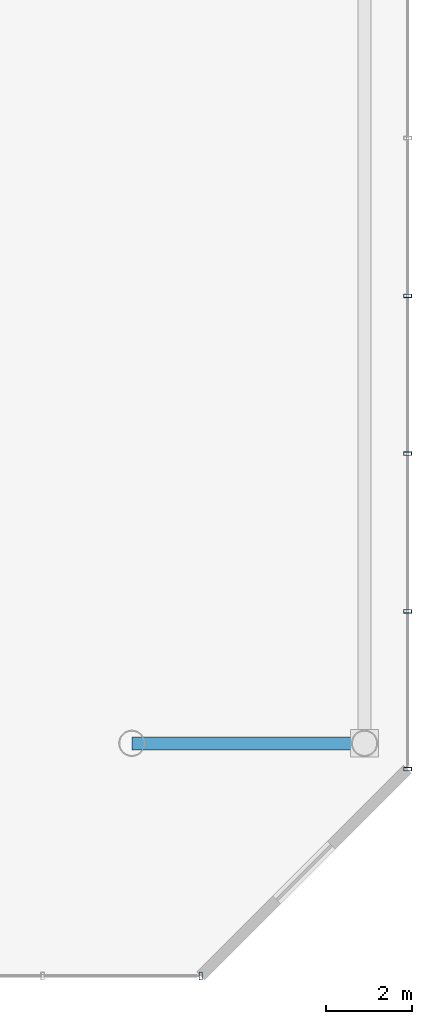
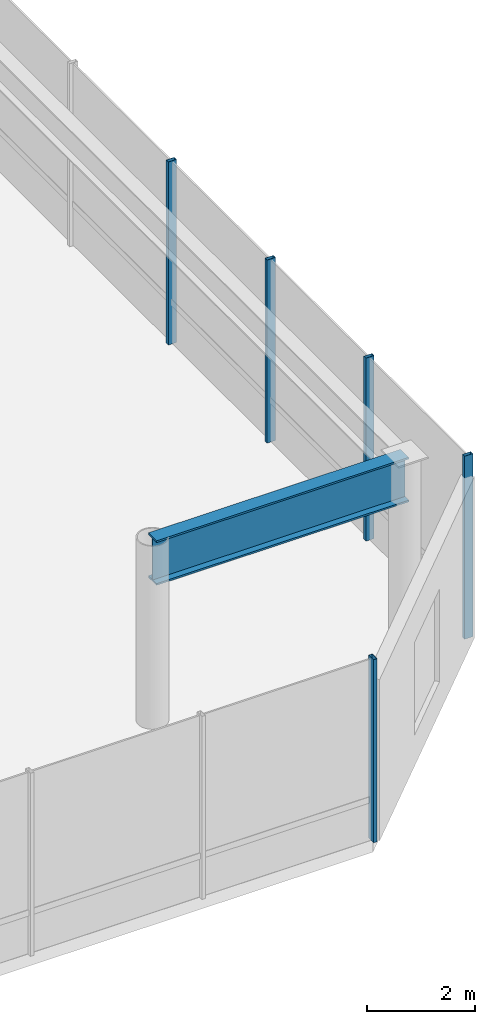
# One storey, part 26 of 37: 5 members, 1 beam, 2 elements without a shape of their own.
"""IFC4 building model written with IfcOpenShell, lengths in metres."""

from ifc_helpers import new_model, si_unit, direction, frame, origin, origin_2d, place, context, subcontext, project, spatial, hollow_rectangle, i_section, extrude, material, layer, layer_set, material_profile, profile_set, type_object, element, aggregate, save


model = new_model("IFC4")

# Units and contexts
model_context = context("Model", 3, precision=1e-05, world=origin(), true_north=direction((0.0, 1.0)))
body_context = subcontext(model_context, "Body", "Model", "MODEL_VIEW")
ifc_project = project(units=[si_unit("LENGTHUNIT", "METRE"), si_unit("AREAUNIT", "SQUARE_METRE"), si_unit("VOLUMEUNIT", "CUBIC_METRE"), si_unit("PLANEANGLEUNIT", "RADIAN"), si_unit("MASSUNIT", "GRAM", prefix="KILO")], contexts=[model_context])

# Site, building, storey
site_placement = place(None, origin())
site = spatial("IfcSite", under=ifc_project, at=site_placement, CompositionType="ELEMENT")
building_placement = place(site_placement, origin())
building = spatial("IfcBuilding", under=site, at=building_placement, Name="Zarrinselat Tower", CompositionType="ELEMENT")
storey_placement = place(building_placement, frame((0.0, 0.0, 13.93994140625)))
storey = spatial("IfcBuildingStorey", under=building, at=storey_placement, Name="L03", CompositionType="ELEMENT", Elevation=13.93994140625)

# Beam
ifc_material_1 = material(Name="Steel S460M", Category="steel")
ifc_material_profile_1 = material_profile(ifc_material_1, i_section(OverallWidth=0.302001953125, OverallDepth=1.008056640625, WebThickness=0.02099609375, FlangeThickness=0.0400390625, at=origin_2d()), Name="HEM 1000")
ifc_profile_set_1 = profile_set([ifc_material_profile_1], Name="Steel S460M")
beam_type = type_object("IfcBeamType", Name="BM-PDTR-HEM1000", PredefinedType="BEAM", material=ifc_profile_set_1)
beam_placement = place(storey_placement, frame((68.0, 11.0, 3.635986328125), z_axis=(1.0, 0.0, 0.0), x_axis=(0.0, 1.0, 0.0)))
element("IfcBeam", 1, at=beam_placement, inside=storey, type_object=beam_type, Name="L03 Podium Transfer Girder E-11", PredefinedType="BEAM", context=body_context, shape_type="SweptSolid", body=[
    extrude(i_section(OverallWidth=0.302001953125, OverallDepth=1.008056640625, WebThickness=0.02099609375, FlangeThickness=0.0400390625, at=origin_2d()), origin(), (0.0, 0.0, 1.0), 5.39990234375),
])

# Curtain wall, member
ifc_material_2 = material(Name="Extruded Aluminium Alloy EN AW-6063 T6", Category="aluminium")
ifc_layer = layer(ifc_material_2, 0.2099609375)
ifc_layer_set = layer_set([ifc_layer], Name="Extruded Aluminium Alloy EN AW-6063 T6")
curtain_wall_type = type_object("IfcCurtainWallType", Name="CWS-POD", PredefinedType="NOTDEFINED", material=ifc_layer_set)
curtain_wall_1_placement = place(storey_placement, origin())
curtain_wall_1 = element("IfcCurtainWall", 2, at=curtain_wall_1_placement, inside=storey, type_object=curtain_wall_type, Name="L03 Unitised Curtain Wall CW-L03-F1", PredefinedType="NOTDEFINED")
ifc_material_3 = material(Name="Extruded Aluminium Alloy EN AW-6063 T6", Category="aluminium")
ifc_material_profile_2 = material_profile(ifc_material_3, hollow_rectangle(XDim=0.080078125, YDim=0.179931640625, WallThickness=0.0048828125, at=origin_2d()), Name="RHS 180x80x5")
ifc_profile_set_2 = profile_set([ifc_material_profile_2], Name="Extruded Aluminium Alloy EN AW-6063 T6")
member_type = type_object("IfcMemberType", Name="MEM-CW-MUL", PredefinedType="MULLION", material=ifc_profile_set_2)
member_1_placement = place(storey_placement, frame((69.60009765625, 5.60009765625, 0.0), z_axis=(0.0, 0.0, 1.0), x_axis=(1.0, 0.0, 0.0)))
member_1 = element("IfcMember", 3, at=member_1_placement, type_object=member_type, Name="CW-L03-F1 Mullion 17", PredefinedType="MULLION", context=body_context, shape_type="SweptSolid", body=[
    extrude(hollow_rectangle(XDim=0.080078125, YDim=0.179931640625, WallThickness=0.0048828125, at=origin_2d()), origin(), (0.0, 0.0, 1.0), 4.14013671875),
])
aggregate(curtain_wall_1, [member_1])

# Curtain wall, members
curtain_wall_2_placement = place(storey_placement, origin())
curtain_wall_2 = element("IfcCurtainWall", 4, at=curtain_wall_2_placement, inside=storey, type_object=curtain_wall_type, Name="L03 Unitised Curtain Wall CW-L03-F3", PredefinedType="NOTDEFINED")
member_2_placement = place(storey_placement, frame((74.39990234375, 10.39990234375, 0.0), z_axis=(0.0, 0.0, 1.0), x_axis=(0.0, 1.0, 0.0)))
member_2 = element("IfcMember", 5, at=member_2_placement, type_object=member_type, Name="CW-L03-F3 Mullion 0", PredefinedType="MULLION", context=body_context, shape_type="SweptSolid", body=[
    extrude(hollow_rectangle(XDim=0.080078125, YDim=0.179931640625, WallThickness=0.0048828125, at=origin_2d()), origin(), (0.0, 0.0, 1.0), 4.14013671875),
])
member_3_placement = place(storey_placement, frame((74.39990234375, 14.06005859375, 0.0), z_axis=(0.0, 0.0, 1.0), x_axis=(0.0, 1.0, 0.0)))
member_3 = element("IfcMember", 6, at=member_3_placement, type_object=member_type, Name="CW-L03-F3 Mullion 1", PredefinedType="MULLION", context=body_context, shape_type="SweptSolid", body=[
    extrude(hollow_rectangle(XDim=0.080078125, YDim=0.179931640625, WallThickness=0.0048828125, at=origin_2d()), origin(), (0.0, 0.0, 1.0), 4.14013671875),
])
member_4_placement = place(storey_placement, frame((74.39990234375, 17.719970703125, 0.0), z_axis=(0.0, 0.0, 1.0), x_axis=(0.0, 1.0, 0.0)))
member_4 = element("IfcMember", 7, at=member_4_placement, type_object=member_type, Name="CW-L03-F3 Mullion 2", PredefinedType="MULLION", context=body_context, shape_type="SweptSolid", body=[
    extrude(hollow_rectangle(XDim=0.080078125, YDim=0.179931640625, WallThickness=0.0048828125, at=origin_2d()), origin(), (0.0, 0.0, 1.0), 4.14013671875),
])
member_5_placement = place(storey_placement, frame((74.39990234375, 21.3798828125, 0.0), z_axis=(0.0, 0.0, 1.0), x_axis=(0.0, 1.0, 0.0)))
member_5 = element("IfcMember", 8, at=member_5_placement, type_object=member_type, Name="CW-L03-F3 Mullion 3", PredefinedType="MULLION", context=body_context, shape_type="SweptSolid", body=[
    extrude(hollow_rectangle(XDim=0.080078125, YDim=0.179931640625, WallThickness=0.0048828125, at=origin_2d()), origin(), (0.0, 0.0, 1.0), 4.14013671875),
])
aggregate(curtain_wall_2, [member_2, member_3, member_4, member_5])

save(model, "model.ifc")
